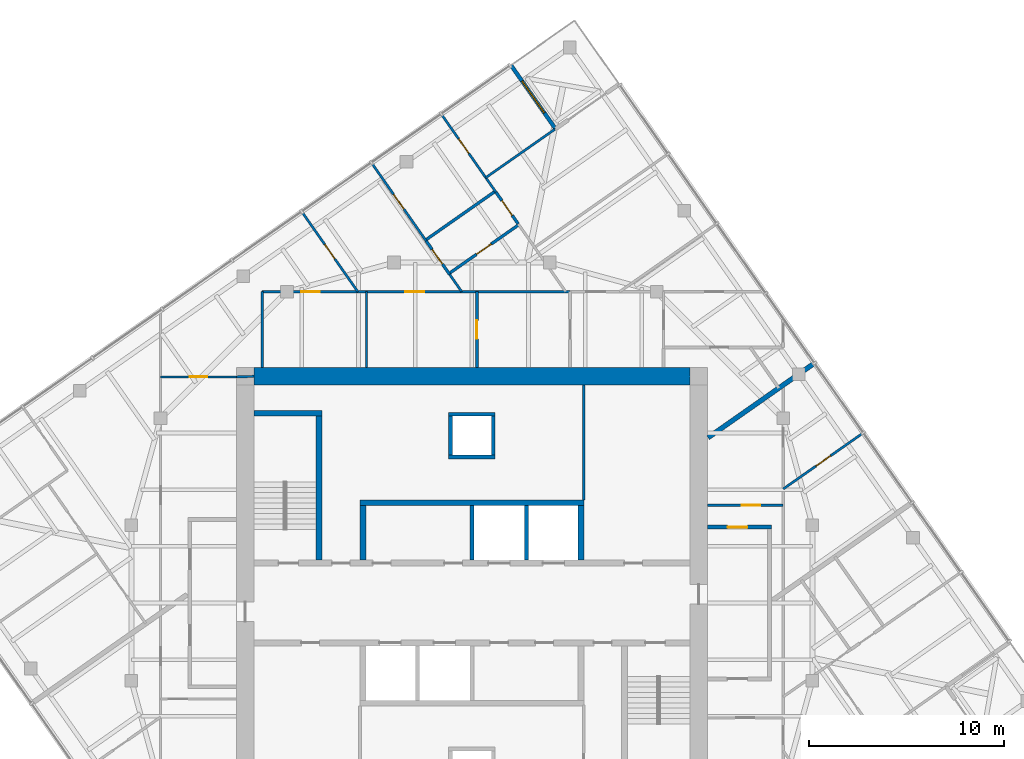
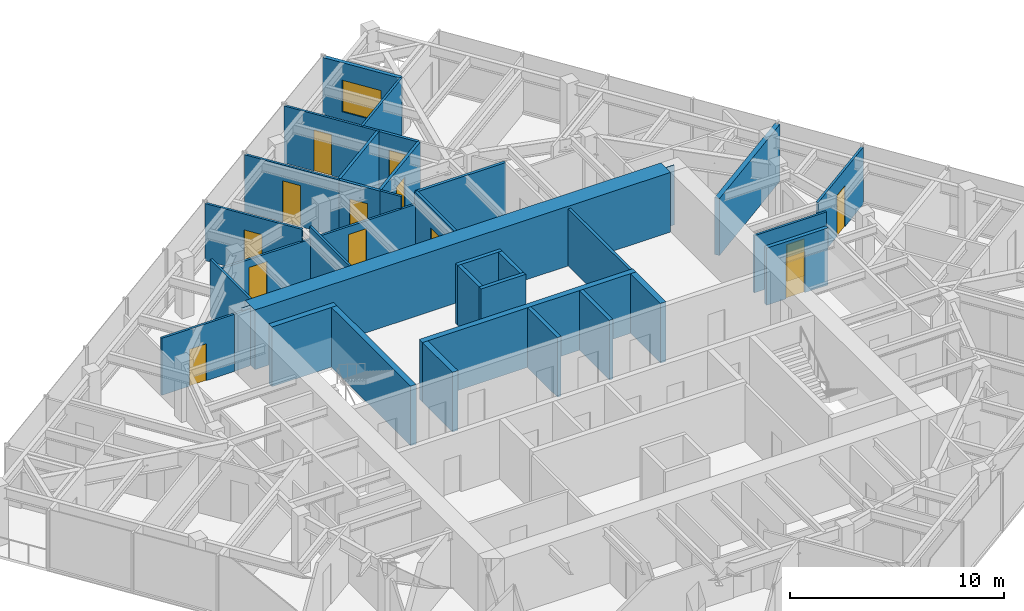
# One storey, part 10 of 12: 34 walls, 13 doors, 1 window, 14 openings.
"""IFC4 building model written with IfcOpenShell, lengths in metres."""

from ifc_helpers import new_model, si_unit, direction, frame, frame_2d, origin, place, context, subcontext, project, spatial, polyline, rectangle, outline, extrude, material, layer, layer_set, type_object, element, fill, save


model = new_model("IFC4")

# Units and contexts
model_context = context("Model", 3, precision=1e-05, world=origin(), true_north=direction((0.0, 1.0)))
body_context = subcontext(model_context, "Body", "Model", "MODEL_VIEW")
ifc_project = project(units=[si_unit("LENGTHUNIT", "METRE"), si_unit("AREAUNIT", "SQUARE_METRE"), si_unit("VOLUMEUNIT", "CUBIC_METRE"), si_unit("PLANEANGLEUNIT", "RADIAN"), si_unit("MASSUNIT", "GRAM", prefix="KILO")], contexts=[model_context])

# Site, building, storey
site_placement = place(None, origin())
site = spatial("IfcSite", under=ifc_project, at=site_placement, CompositionType="ELEMENT")
building_placement = place(site_placement, origin())
building = spatial("IfcBuilding", under=site, at=building_placement, Name="Torsade Residences", CompositionType="ELEMENT")
storey_placement = place(building_placement, frame((0.0, 0.0, 254.0)))
storey = spatial("IfcBuildingStorey", under=building, at=storey_placement, Name="L70", CompositionType="ELEMENT", Elevation=254.0)

# Walls
ifc_material_1 = material(Name="Concrete 80 MPa", Category="concrete")
ifc_layer_1 = layer(ifc_material_1, 0.300048828125)
ifc_layer_set_1 = layer_set([ifc_layer_1], Name="Concrete 80 MPa")
wall_type_1 = type_object("IfcWallType", Name="CORE INTERNAL WALL 300", PredefinedType="SHEAR", material=ifc_layer_set_1)
wall_1_placement = place(storey_placement, frame((34.25, 35.14990234375, 0.0), z_axis=(0.0, 0.0, 1.0), x_axis=(1.0, 0.0, 0.0)))
element("IfcWall", 1, at=wall_1_placement, inside=storey, type_object=wall_type_1, Name="Core wall BN L70", PredefinedType="SHEAR", context=body_context, shape_type="SweptSolid", body=[
    extrude(rectangle(XDim=11.5, YDim=0.300048828125, at=frame_2d((5.75, 0.0))), origin(), (0.0, 0.0, 1.0), 3.39990234375),
])
for number, where, z_axis, x_axis, name in (
    (2, (34.39990234375, 32.199951171875, 0.0), (0.0, 0.0, 1.0), (0.0, 1.0, 0.0), "Core wall DN0 L70"),
    (3, (45.60009765625, 32.199951171875, 0.0), (0.0, 0.0, 1.0), (0.0, 1.0, 0.0), "Core wall DN4 L70"),
):
    element("IfcWall", number, at=place(storey_placement, frame(where, z_axis=z_axis, x_axis=x_axis)), inside=storey, type_object=wall_type_1, Name=name, PredefinedType="SHEAR", context=body_context, shape_type="SweptSolid", body=[
        extrude(rectangle(XDim=2.800048828125, YDim=0.300048828125, at=frame_2d((1.39990234375, 0.0))), origin(), (0.0, 0.0, 1.0), 3.39990234375),
    ])
wall_2_placement = place(storey_placement, frame((32.14990234375, 32.199951171875, 0.0), z_axis=(0.0, 0.0, 1.0), x_axis=(0.0, 1.0, 0.0)))
element("IfcWall", 4, at=wall_2_placement, inside=storey, type_object=wall_type_1, Name="Core wall ST1E L70", PredefinedType="SHEAR", context=body_context, shape_type="SweptSolid", body=[
    extrude(rectangle(XDim=7.699951171875, YDim=0.300048828125, at=frame_2d((3.85009765625, 0.0))), origin(), (0.0, 0.0, 1.0), 3.39990234375),
])
wall_3_placement = place(storey_placement, frame((28.800048828125, 39.75, 0.0), z_axis=(0.0, 0.0, 1.0), x_axis=(1.0, 0.0, 0.0)))
element("IfcWall", 5, at=wall_3_placement, inside=storey, type_object=wall_type_1, Name="Core wall ST1N L70", PredefinedType="SHEAR", context=body_context, shape_type="SweptSolid", body=[
    extrude(rectangle(XDim=3.5, YDim=0.300048828125, at=frame_2d((1.75, 0.0))), origin(), (0.0, 0.0, 1.0), 3.39990234375),
])
ifc_material_2 = material(Name="Concrete 80 MPa", Category="concrete")
ifc_layer_2 = layer(ifc_material_2, 0.89990234375)
ifc_layer_set_2 = layer_set([ifc_layer_2], Name="Concrete 80 MPa")
wall_type_2 = type_object("IfcWallType", Name="CORE WALL 900", PredefinedType="SHEAR", material=ifc_layer_set_2)
wall_4_placement = place(storey_placement, frame((28.800048828125, 41.64990234375, 0.0), z_axis=(0.0, 0.0, 1.0), x_axis=(1.0, 0.0, 0.0)))
element("IfcWall", 6, at=wall_4_placement, inside=storey, type_object=wall_type_2, Name="Core wall N L70", PredefinedType="SHEAR", context=body_context, shape_type="SweptSolid", body=[
    extrude(outline(polyline([(0.0, -0.449951171875), (22.39990234375, -0.449951171875), (22.39990234375, -0.02490234375), (22.849853515625, -0.02490234375), (22.849853515625, 0.02490234375), (22.39990234375, 0.02490234375), (22.39990234375, 0.449951171875), (0.0, 0.449951171875), (0.0, 0.02490234375), (-0.449951171875, 0.02490234375), (-0.449951171875, -0.02490234375), (0.0, -0.02490234375), (0.0, -0.449951171875)])), origin(), (0.0, 0.0, 1.0), 3.39990234375),
])

# Wall, opening, door
ifc_material_3 = material(Name="Plasterboard on steel stud", Category="steel")
ifc_layer_3 = layer(ifc_material_3, 0.199951171875)
ifc_layer_set_3 = layer_set([ifc_layer_3], Name="Plasterboard on steel stud")
wall_type_3 = type_object("IfcWallType", Name="CORRIDOR WALL 200", PredefinedType="PARTITIONING", material=ifc_layer_set_3)
wall_5_placement = place(storey_placement, frame((52.10009765625, 33.89990234375, 0.0), z_axis=(0.0, 0.0, 1.0), x_axis=(1.0, 0.0, 0.0)))
wall_5 = element("IfcWall", 7, at=wall_5_placement, inside=storey, type_object=wall_type_3, Name="Corridor wall L70", PredefinedType="PARTITIONING", context=body_context, shape_type="SweptSolid", body=[
    extrude(rectangle(XDim=3.2998046875, YDim=0.199951171875, at=frame_2d((1.64990234375, 0.0))), origin(), (0.0, 0.0, 1.0), 3.25),
])
opening_1_placement = place(wall_5_placement, frame((1.0400390625, 0.0, 0.0)))
opening_1 = element("IfcOpeningElement", 8, at=opening_1_placement, cuts=wall_5, Name="Opening D01", PredefinedType="OPENING", context=body_context, shape_type="SweptSolid", body=[
    extrude(rectangle(XDim=1.02001953125, YDim=2.340087890625, at=frame_2d((0.510009765625, 1.169921875))), frame((0.0, 0.10986328125, 0.0), z_axis=(0.0, -1.0, 0.0), x_axis=(1.0, 0.0, 0.0)), (0.0, 0.0, 1.0), 0.219970703125),
])
ifc_material_4 = material(Name="Solid-core timber fire door", Category="wood")
door_type_1 = type_object("IfcDoorType", Name="APARTMENT ENTRY DOOR 1020x2340", OperationType="NOTDEFINED", PredefinedType="DOOR", material=ifc_material_4)
door_1_placement = place(opening_1_placement, origin())
door_1 = element("IfcDoor", 9, at=door_1_placement, inside=storey, type_object=door_type_1, Name="Door Residential corridor to Kitchen and dining", OperationType="SINGLE_SWING_LEFT", OverallHeight=2.340087890625, OverallWidth=1.02001953125, PredefinedType="DOOR", context=body_context, shape_type="SweptSolid", body=[
    extrude(rectangle(XDim=1.02001953125, YDim=2.340087890625, at=frame_2d((0.510009765625, 1.169921875))), frame((0.0, 0.02490234375, 0.0), z_axis=(0.0, -1.0, 0.0), x_axis=(1.0, 0.0, 0.0)), (0.0, 0.0, 1.0), 0.050048828125),
])
fill(opening_1, door_1)

# Walls
ifc_material_5 = material(Name="Reinforced blockwork", Category="masonry")
ifc_layer_4 = layer(ifc_material_5, 0.199951171875)
ifc_layer_set_4 = layer_set([ifc_layer_4], Name="Reinforced blockwork")
wall_type_4 = type_object("IfcWallType", Name="LIFT SHAFT DIVIDING WALL 200", PredefinedType="SOLIDWALL", material=ifc_layer_set_4)
for number, where, z_axis, x_axis, name in (
    (10, (40.0, 32.199951171875, 0.0), (0.0, 0.0, 1.0), (0.0, 1.0, 0.0), "Core wall DN2 L70"),
    (11, (42.800048828125, 32.199951171875, 0.0), (0.0, 0.0, 1.0), (0.0, 1.0, 0.0), "Core wall DN3 L70"),
):
    element("IfcWall", number, at=place(storey_placement, frame(where, z_axis=z_axis, x_axis=x_axis)), inside=storey, type_object=wall_type_4, Name=name, PredefinedType="SOLIDWALL", context=body_context, shape_type="SweptSolid", body=[
        extrude(rectangle(XDim=2.800048828125, YDim=0.199951171875, at=frame_2d((1.39990234375, 0.0))), origin(), (0.0, 0.0, 1.0), 3.39990234375),
    ])

# Wall, opening, door
ifc_material_6 = material(Name="Plasterboard on steel stud", Category="steel")
ifc_layer_5 = layer(ifc_material_6, 0.1201171875)
ifc_layer_set_5 = layer_set([ifc_layer_5], Name="Plasterboard on steel stud")
wall_type_5 = type_object("IfcWallType", Name="PARTITION 120", PredefinedType="PARTITIONING", material=ifc_layer_set_5)
wall_6_placement = place(storey_placement, frame((52.10009765625, 35.02197265625, 0.0), z_axis=(0.0, 0.0, 1.0), x_axis=(1.0, 0.0, 0.0)))
wall_6 = element("IfcWall", 12, at=wall_6_placement, inside=storey, type_object=wall_type_5, Name="Partition L70", PredefinedType="PARTITIONING", context=body_context, shape_type="SweptSolid", body=[
    extrude(rectangle(XDim=3.89990234375, YDim=0.1201171875, at=frame_2d((1.949951171875, 0.0))), origin(), (0.0, 0.0, 1.0), 3.25),
])
opening_2_placement = place(wall_6_placement, frame((1.77001953125, 0.0, 0.0)))
opening_2 = element("IfcOpeningElement", 13, at=opening_2_placement, cuts=wall_6, Name="Opening D05", PredefinedType="OPENING", context=body_context, shape_type="SweptSolid", body=[
    extrude(rectangle(XDim=0.9599609375, YDim=2.10009765625, at=frame_2d((0.47998046875, 1.050048828125))), frame((0.0, 0.070068359375, 0.0), z_axis=(0.0, -1.0, 0.0), x_axis=(1.0, 0.0, 0.0)), (0.0, 0.0, 1.0), 0.14013671875),
])
ifc_material_7 = material(Name="Hollow-core timber door in a steel cavity frame", Category="steel")
door_type_2 = type_object("IfcDoorType", Name="BATHROOM CAVITY SLIDING DOOR 960", OperationType="SLIDING_TO_LEFT", PredefinedType="DOOR", material=ifc_material_7)
door_2_placement = place(opening_2_placement, origin())
door_2 = element("IfcDoor", 14, at=door_2_placement, inside=storey, type_object=door_type_2, Name="Door Kitchen and dining to Bathroom", OperationType="SLIDING_TO_LEFT", OverallHeight=2.10009765625, OverallWidth=0.9599609375, PredefinedType="DOOR", context=body_context, shape_type="SweptSolid", body=[
    extrude(rectangle(XDim=0.9599609375, YDim=2.10009765625, at=frame_2d((0.47998046875, 1.050048828125))), frame((0.0, 0.02490234375, 0.0), z_axis=(0.0, -1.0, 0.0), x_axis=(1.0, 0.0, 0.0)), (0.0, 0.0, 1.0), 0.050048828125),
])
fill(opening_2, door_2)

wall_7_placement = place(storey_placement, frame((56.0, 35.8623046875, 0.0), z_axis=(0.0, 0.0, 1.0), x_axis=(0.819144584763, 0.57358708951, 0.0)))
wall_7 = element("IfcWall", 15, at=wall_7_placement, inside=storey, type_object=wall_type_5, Name="Partition L70", PredefinedType="PARTITIONING", context=body_context, shape_type="SweptSolid", body=[
    extrude(rectangle(XDim=4.990966796875, YDim=0.1201171875, at=frame_2d((2.49560546875, 0.0))), origin(), (0.0, 0.0, 1.0), 3.25),
])
opening_3_placement = place(wall_7_placement, frame((2.055419921875, 0.0, 0.0)))
opening_3 = element("IfcOpeningElement", 16, at=opening_3_placement, cuts=wall_7, Name="Opening D02", PredefinedType="OPENING", context=body_context, shape_type="SweptSolid", body=[
    extrude(rectangle(XDim=0.919921875, YDim=2.340087890625, at=frame_2d((0.4599609375, 1.169921875))), frame((0.0, 0.070068359375, 0.0), z_axis=(0.0, -1.0, 0.0), x_axis=(1.0, 0.0, 0.0)), (0.0, 0.0, 1.0), 0.14013671875),
])
ifc_material_8 = material(Name="Hollow-core timber door", Category="wood")
door_type_3 = type_object("IfcDoorType", Name="INTERNAL DOOR 920x2340", OperationType="NOTDEFINED", PredefinedType="DOOR", material=ifc_material_8)
door_3_placement = place(opening_3_placement, origin())
door_3 = element("IfcDoor", 17, at=door_3_placement, inside=storey, type_object=door_type_3, Name="Door Bedroom 1 to Living room", OperationType="SINGLE_SWING_LEFT", OverallHeight=2.340087890625, OverallWidth=0.919921875, PredefinedType="DOOR", context=body_context, shape_type="SweptSolid", body=[
    extrude(rectangle(XDim=0.919921875, YDim=2.340087890625, at=frame_2d((0.4599609375, 1.169921875))), frame((0.0, 0.02490234375, 0.0), z_axis=(0.0, -1.0, 0.0), x_axis=(1.0, 0.0, 0.0)), (0.0, 0.0, 1.0), 0.050048828125),
])
fill(opening_3, door_3)

wall_8_placement = place(storey_placement, frame((24.0, 41.61865234375, 0.0), z_axis=(0.0, 0.0, 1.0), x_axis=(1.0, 0.0, 0.0)))
wall_8 = element("IfcWall", 18, at=wall_8_placement, inside=storey, type_object=wall_type_5, Name="Partition L70", PredefinedType="PARTITIONING", context=body_context, shape_type="SweptSolid", body=[
    extrude(rectangle(XDim=3.89990234375, YDim=0.1201171875, at=frame_2d((1.949951171875, 0.0))), origin(), (0.0, 0.0, 1.0), 3.25),
])
opening_4_placement = place(wall_8_placement, frame((1.489990234375, 0.0, 0.0)))
opening_4 = element("IfcOpeningElement", 19, at=opening_4_placement, cuts=wall_8, Name="Opening D02L", PredefinedType="OPENING", context=body_context, shape_type="SweptSolid", body=[
    extrude(rectangle(XDim=0.919921875, YDim=2.10009765625, at=frame_2d((0.4599609375, 1.050048828125))), frame((0.0, 0.070068359375, 0.0), z_axis=(0.0, -1.0, 0.0), x_axis=(1.0, 0.0, 0.0)), (0.0, 0.0, 1.0), 0.14013671875),
])
ifc_material_9 = material(Name="Hollow-core timber door", Category="wood")
door_type_4 = type_object("IfcDoorType", Name="INTERNAL DOOR 920x2100", OperationType="NOTDEFINED", PredefinedType="DOOR", material=ifc_material_9)
door_4_placement = place(opening_4_placement, origin())
door_4 = element("IfcDoor", 20, at=door_4_placement, inside=storey, type_object=door_type_4, Name="Door Kitchen and dining to Dining room", OperationType="SINGLE_SWING_RIGHT", OverallHeight=2.10009765625, OverallWidth=0.919921875, PredefinedType="DOOR", context=body_context, shape_type="SweptSolid", body=[
    extrude(rectangle(XDim=0.919921875, YDim=2.10009765625, at=frame_2d((0.4599609375, 1.050048828125))), frame((0.0, 0.02490234375, 0.0), z_axis=(0.0, -1.0, 0.0), x_axis=(1.0, 0.0, 0.0)), (0.0, 0.0, 1.0), 0.050048828125),
])
fill(opening_4, door_4)

# Wall
wall_9_placement = place(storey_placement, frame((34.583251953125, 46.0, 0.0), z_axis=(0.0, 0.0, 1.0), x_axis=(0.0, -1.0, 0.0)))
element("IfcWall", 21, at=wall_9_placement, inside=storey, type_object=wall_type_5, Name="Partition L70", PredefinedType="PARTITIONING", context=body_context, shape_type="SweptSolid", body=[
    extrude(rectangle(XDim=3.89990234375, YDim=0.1201171875, at=frame_2d((1.949951171875, 0.0))), origin(), (0.0, 0.0, 1.0), 3.25),
])

# Wall, openings, doors
wall_10_placement = place(storey_placement, frame((29.218505859375, 46.0, 0.0), z_axis=(0.0, 0.0, 1.0), x_axis=(1.0, 0.0, 0.0)))
wall_10 = element("IfcWall", 22, at=wall_10_placement, inside=storey, type_object=wall_type_5, Name="Partition L70", PredefinedType="PARTITIONING", context=body_context, shape_type="SweptSolid", body=[
    extrude(rectangle(XDim=11.0341796875, YDim=0.1201171875, at=frame_2d((5.51708984375, 0.0))), origin(), (0.0, 0.0, 1.0), 2.549072265625),
])
opening_5_placement = place(wall_10_placement, frame((2.010009765625, 0.0, 0.0)))
opening_5 = element("IfcOpeningElement", 23, at=opening_5_placement, cuts=wall_10, Name="Opening D05", PredefinedType="OPENING", context=body_context, shape_type="SweptSolid", body=[
    extrude(rectangle(XDim=0.9599609375, YDim=2.10009765625, at=frame_2d((0.47998046875, 1.050048828125))), frame((0.0, 0.070068359375, 0.0), z_axis=(0.0, -1.0, 0.0), x_axis=(1.0, 0.0, 0.0)), (0.0, 0.0, 1.0), 0.14013671875),
])
opening_6_placement = place(wall_10_placement, frame((7.363037109375, 0.0, 0.0)))
opening_6 = element("IfcOpeningElement", 24, at=opening_6_placement, cuts=wall_10, Name="Opening D05", PredefinedType="OPENING", context=body_context, shape_type="SweptSolid", body=[
    extrude(rectangle(XDim=0.9599609375, YDim=2.10009765625, at=frame_2d((0.47998046875, 1.050048828125))), frame((0.0, 0.070068359375, 0.0), z_axis=(0.0, -1.0, 0.0), x_axis=(1.0, 0.0, 0.0)), (0.0, 0.0, 1.0), 0.14013671875),
])
door_5_placement = place(opening_5_placement, origin())
door_5 = element("IfcDoor", 25, at=door_5_placement, inside=storey, type_object=door_type_2, Name="Door Dining room to Bathroom", OperationType="SLIDING_TO_LEFT", OverallHeight=2.10009765625, OverallWidth=0.9599609375, PredefinedType="DOOR", context=body_context, shape_type="SweptSolid", body=[
    extrude(rectangle(XDim=0.9599609375, YDim=2.10009765625, at=frame_2d((0.47998046875, 1.050048828125))), frame((0.0, 0.02490234375, 0.0), z_axis=(0.0, -1.0, 0.0), x_axis=(1.0, 0.0, 0.0)), (0.0, 0.0, 1.0), 0.050048828125),
])
fill(opening_5, door_5)
door_6_placement = place(opening_6_placement, origin())
door_6 = element("IfcDoor", 26, at=door_6_placement, inside=storey, type_object=door_type_2, Name="Door Study 2 to Ensuite", OperationType="SLIDING_TO_LEFT", OverallHeight=2.10009765625, OverallWidth=0.9599609375, PredefinedType="DOOR", context=body_context, shape_type="SweptSolid", body=[
    extrude(rectangle(XDim=0.9599609375, YDim=2.10009765625, at=frame_2d((0.47998046875, 1.050048828125))), frame((0.0, 0.02490234375, 0.0), z_axis=(0.0, -1.0, 0.0), x_axis=(1.0, 0.0, 0.0)), (0.0, 0.0, 1.0), 0.050048828125),
])
fill(opening_6, door_6)

# Wall
wall_11_placement = place(storey_placement, frame((29.218505859375, 42.10009765625, 0.0), z_axis=(0.0, 0.0, 1.0), x_axis=(0.0, 1.0, 0.0)))
element("IfcWall", 27, at=wall_11_placement, inside=storey, type_object=wall_type_5, Name="Partition L70", PredefinedType="PARTITIONING", context=body_context, shape_type="SweptSolid", body=[
    extrude(rectangle(XDim=3.89990234375, YDim=0.1201171875, at=frame_2d((1.949951171875, 0.0))), origin(), (0.0, 0.0, 1.0), 3.25),
])

# Wall, opening, door
wall_12_placement = place(storey_placement, frame((41.232177734375, 51.123046875, 0.0), z_axis=(0.0, 0.0, 1.0), x_axis=(-0.573586984922, 0.819144657999, 0.0)))
wall_12 = element("IfcWall", 28, at=wall_12_placement, inside=storey, type_object=wall_type_5, Name="Partition L70", PredefinedType="PARTITIONING", context=body_context, shape_type="SweptSolid", body=[
    extrude(rectangle(XDim=4.86376953125, YDim=0.1201171875, at=frame_2d((2.431884765625, 0.0))), origin(), (0.0, 0.0, 1.0), 3.25),
])
opening_7_placement = place(wall_12_placement, frame((2.418701171875, 0.0, 0.0)))
opening_7 = element("IfcOpeningElement", 29, at=opening_7_placement, cuts=wall_12, Name="Opening D02", PredefinedType="OPENING", context=body_context, shape_type="SweptSolid", body=[
    extrude(rectangle(XDim=0.919921875, YDim=2.340087890625, at=frame_2d((0.4599609375, 1.169921875))), frame((0.0, 0.070068359375, 0.0), z_axis=(0.0, -1.0, 0.0), x_axis=(1.0, 0.0, 0.0)), (0.0, 0.0, 1.0), 0.14013671875),
])
door_7_placement = place(opening_7_placement, origin())
door_7 = element("IfcDoor", 30, at=door_7_placement, inside=storey, type_object=door_type_3, Name="Door Family room to Study 3", OperationType="SINGLE_SWING_LEFT", OverallHeight=2.340087890625, OverallWidth=0.919921875, PredefinedType="DOOR", context=body_context, shape_type="SweptSolid", body=[
    extrude(rectangle(XDim=0.919921875, YDim=2.340087890625, at=frame_2d((0.4599609375, 1.169921875))), frame((0.0, 0.02490234375, 0.0), z_axis=(0.0, -1.0, 0.0), x_axis=(1.0, 0.0, 0.0)), (0.0, 0.0, 1.0), 0.050048828125),
])
fill(opening_7, door_7)

# Wall
wall_13_placement = place(storey_placement, frame((40.7138671875, 51.86328125, 0.0), z_axis=(0.0, 0.0, 1.0), x_axis=(0.819139307094, 0.573594626521, 0.0)))
element("IfcWall", 31, at=wall_13_placement, inside=storey, type_object=wall_type_5, Name="Partition L70", PredefinedType="PARTITIONING", context=body_context, shape_type="SweptSolid", body=[
    extrude(rectangle(XDim=4.3349609375, YDim=0.1201171875, at=frame_2d((2.16748046875, 0.0))), origin(), (0.0, 0.0, 1.0), 3.25),
])

# Wall, opening, door
wall_14_placement = place(storey_placement, frame((34.858642578125, 52.597900390625, 0.0), z_axis=(0.0, 0.0, 1.0), x_axis=(0.573586984922, -0.819144657999, 0.0)))
wall_14 = element("IfcWall", 32, at=wall_14_placement, inside=storey, type_object=wall_type_5, Name="Partition L70", PredefinedType="PARTITIONING", context=body_context, shape_type="SweptSolid", body=[
    extrude(rectangle(XDim=4.86376953125, YDim=0.1201171875, at=frame_2d((2.431884765625, 0.0))), origin(), (0.0, 0.0, 1.0), 3.25),
])
opening_8_placement = place(wall_14_placement, frame((1.951904296875, 0.0, 0.0)))
opening_8 = element("IfcOpeningElement", 33, at=opening_8_placement, cuts=wall_14, Name="Opening D02", PredefinedType="OPENING", context=body_context, shape_type="SweptSolid", body=[
    extrude(rectangle(XDim=0.919921875, YDim=2.340087890625, at=frame_2d((0.4599609375, 1.169921875))), frame((0.0, 0.070068359375, 0.0), z_axis=(0.0, -1.0, 0.0), x_axis=(1.0, 0.0, 0.0)), (0.0, 0.0, 1.0), 0.14013671875),
])
door_8_placement = place(opening_8_placement, origin())
door_8 = element("IfcDoor", 34, at=door_8_placement, inside=storey, type_object=door_type_3, Name="Door Study 2 to Family room", OperationType="SINGLE_SWING_RIGHT", OverallHeight=2.340087890625, OverallWidth=0.919921875, PredefinedType="DOOR", context=body_context, shape_type="SweptSolid", body=[
    extrude(rectangle(XDim=0.919921875, YDim=2.340087890625, at=frame_2d((0.4599609375, 1.169921875))), frame((0.0, 0.02490234375, 0.0), z_axis=(0.0, -1.0, 0.0), x_axis=(1.0, 0.0, 0.0)), (0.0, 0.0, 1.0), 0.050048828125),
])
fill(opening_8, door_8)

# Wall
wall_15_placement = place(storey_placement, frame((38.853515625, 46.892333984375, 0.0), z_axis=(0.0, 0.0, 1.0), x_axis=(0.57368792347, -0.81907396886, 0.0)))
element("IfcWall", 35, at=wall_15_placement, inside=storey, type_object=wall_type_5, Name="Partition L70", PredefinedType="PARTITIONING", context=body_context, shape_type="SweptSolid", body=[
    extrude(rectangle(XDim=1.08935546875, YDim=0.1201171875, at=frame_2d((0.544677734375, 0.0))), origin(), (0.0, 0.0, 1.0), 3.25),
])

# Wall, opening, door
wall_16_placement = place(storey_placement, frame((34.1376953125, 46.0, 0.0), z_axis=(0.0, 0.0, 1.0), x_axis=(-0.57358708951, 0.819144584763, 0.0)))
wall_16 = element("IfcWall", 36, at=wall_16_placement, inside=storey, type_object=wall_type_5, Name="Partition L70", PredefinedType="PARTITIONING", context=body_context, shape_type="SweptSolid", body=[
    extrude(rectangle(XDim=4.990966796875, YDim=0.1201171875, at=frame_2d((2.49560546875, 0.0))), origin(), (0.0, 0.0, 1.0), 3.25),
])
opening_9_placement = place(wall_16_placement, frame((2.055419921875, 0.0, 0.0)))
opening_9 = element("IfcOpeningElement", 37, at=opening_9_placement, cuts=wall_16, Name="Opening D02", PredefinedType="OPENING", context=body_context, shape_type="SweptSolid", body=[
    extrude(rectangle(XDim=0.919921875, YDim=2.340087890625, at=frame_2d((0.4599609375, 1.169921875))), frame((0.0, 0.070068359375, 0.0), z_axis=(0.0, -1.0, 0.0), x_axis=(1.0, 0.0, 0.0)), (0.0, 0.0, 1.0), 0.14013671875),
])
door_9_placement = place(opening_9_placement, origin())
door_9 = element("IfcDoor", 38, at=door_9_placement, inside=storey, type_object=door_type_3, Name="Door Dining room to Study 2", OperationType="SINGLE_SWING_LEFT", OverallHeight=2.340087890625, OverallWidth=0.919921875, PredefinedType="DOOR", context=body_context, shape_type="SweptSolid", body=[
    extrude(rectangle(XDim=0.919921875, YDim=2.340087890625, at=frame_2d((0.4599609375, 1.169921875))), frame((0.0, 0.02490234375, 0.0), z_axis=(0.0, -1.0, 0.0), x_axis=(1.0, 0.0, 0.0)), (0.0, 0.0, 1.0), 0.050048828125),
])
fill(opening_9, door_9)

# Walls
wall_17_placement = place(storey_placement, frame((27.89990234375, 41.61865234375, 0.0), z_axis=(0.0, 0.0, 1.0), x_axis=(0.999397924003, 0.034695669724, 0.0)))
element("IfcWall", 39, at=wall_17_placement, inside=storey, type_object=wall_type_5, Name="Partition L70", PredefinedType="PARTITIONING", context=body_context, shape_type="SweptSolid", body=[
    extrude(rectangle(XDim=0.900634765625, YDim=0.1201171875, at=frame_2d((0.4501953125, 0.0))), origin(), (0.0, 0.0, 1.0), 3.25),
])
ifc_material_10 = material(Name="Masonry-lined stud party wall", Category="masonry")
ifc_layer_6 = layer(ifc_material_10, 0.25)
ifc_layer_set_6 = layer_set([ifc_layer_6], Name="Masonry-lined stud party wall")
wall_type_6 = type_object("IfcWallType", Name="PARTY WALL 250", PredefinedType="PARTITIONING", material=ifc_layer_set_6)
wall_18_placement = place(storey_placement, frame((57.61181640625, 42.331787109375, 0.0), z_axis=(0.0, 0.0, 1.0), x_axis=(-0.819161528122, -0.573562891796, 0.0)))
element("IfcWall", 40, at=wall_18_placement, inside=storey, type_object=wall_type_6, Name="Party wall L70", PredefinedType="PARTITIONING", context=body_context, shape_type="SweptSolid", body=[
    extrude(rectangle(XDim=6.68115234375, YDim=0.25, at=frame_2d((3.340576171875, 0.0))), origin(), (0.0, 0.0, 1.0), 3.25),
])
ifc_material_11 = material(Name="Reinforced blockwork", Category="masonry")
ifc_layer_7 = layer(ifc_material_11, 0.199951171875)
ifc_layer_set_7 = layer_set([ifc_layer_7], Name="Reinforced blockwork")
wall_type_7 = type_object("IfcWallType", Name="RISER SHAFT WALL 200", PredefinedType="SOLIDWALL", material=ifc_layer_set_7)
for number, where, z_axis, x_axis, name in (
    (41, (38.89990234375, 37.60009765625, 0.0), (0.0, 0.0, 1.0), (0.0, 1.0, 0.0), "Core wall RS1a L70"),
    (42, (41.10009765625, 37.60009765625, 0.0), (0.0, 0.0, 1.0), (0.0, 1.0, 0.0), "Core wall RS1b L70"),
):
    element("IfcWall", number, at=place(storey_placement, frame(where, z_axis=z_axis, x_axis=x_axis)), inside=storey, type_object=wall_type_7, Name=name, PredefinedType="SOLIDWALL", context=body_context, shape_type="SweptSolid", body=[
        extrude(rectangle(XDim=2.0, YDim=0.199951171875, at=frame_2d((1.0, 0.0))), origin(), (0.0, 0.0, 1.0), 3.39990234375),
    ])
for number, where, z_axis, x_axis, name in (
    (43, (38.800048828125, 37.5, 0.0), (0.0, 0.0, 1.0), (1.0, 0.0, 0.0), "Core wall RS1c L70"),
    (44, (38.800048828125, 39.699951171875, 0.0), (0.0, 0.0, 1.0), (1.0, 0.0, 0.0), "Core wall RS1d L70"),
):
    element("IfcWall", number, at=place(storey_placement, frame(where, z_axis=z_axis, x_axis=x_axis)), inside=storey, type_object=wall_type_7, Name=name, PredefinedType="SOLIDWALL", context=body_context, shape_type="SweptSolid", body=[
        extrude(rectangle(XDim=2.39990234375, YDim=0.199951171875, at=frame_2d((1.199951171875, 0.0))), origin(), (0.0, 0.0, 1.0), 3.39990234375),
    ])
ifc_material_12 = material(Name="Reinforced blockwork", Category="masonry")
ifc_layer_8 = layer(ifc_material_12, 0.14990234375)
ifc_layer_set_8 = layer_set([ifc_layer_8], Name="Reinforced blockwork")
wall_type_8 = type_object("IfcWallType", Name="SERVICE ROOM WALL 150", PredefinedType="SOLIDWALL", material=ifc_layer_set_8)
wall_19_placement = place(storey_placement, frame((45.75, 41.199951171875, 0.0), z_axis=(0.0, 0.0, 1.0), x_axis=(0.0, -1.0, 0.0)))
element("IfcWall", 45, at=wall_19_placement, inside=storey, type_object=wall_type_8, Name="Service room wall L70", PredefinedType="SOLIDWALL", context=body_context, shape_type="SweptSolid", body=[
    extrude(rectangle(XDim=5.89990234375, YDim=0.14990234375, at=frame_2d((2.949951171875, 0.0))), origin(), (0.0, 0.0, 1.0), 3.25),
])

# Wall, opening, door
wall_20_placement = place(storey_placement, frame((40.252685546875, 46.0, 0.0), z_axis=(0.0, 0.0, 1.0), x_axis=(0.0, -1.0, 0.0)))
wall_20 = element("IfcWall", 46, at=wall_20_placement, inside=storey, type_object=wall_type_8, Name="Service room wall L70", PredefinedType="SOLIDWALL", context=body_context, shape_type="SweptSolid", body=[
    extrude(rectangle(XDim=3.89990234375, YDim=0.14990234375, at=frame_2d((1.949951171875, 0.0))), origin(), (0.0, 0.0, 1.0), 3.25),
])
opening_10_placement = place(wall_20_placement, frame((1.469970703125, 0.0, 0.0)))
opening_10 = element("IfcOpeningElement", 47, at=opening_10_placement, cuts=wall_20, Name="Opening D05", PredefinedType="OPENING", context=body_context, shape_type="SweptSolid", body=[
    extrude(rectangle(XDim=0.9599609375, YDim=2.10009765625, at=frame_2d((0.47998046875, 1.050048828125))), frame((0.0, 0.0849609375, 0.0), z_axis=(0.0, -1.0, 0.0), x_axis=(1.0, 0.0, 0.0)), (0.0, 0.0, 1.0), 0.169921875),
])
door_10_placement = place(opening_10_placement, origin())
door_10 = element("IfcDoor", 48, at=door_10_placement, inside=storey, type_object=door_type_2, Name="Door Ensuite to Linen store", OperationType="SLIDING_TO_LEFT", OverallHeight=2.10009765625, OverallWidth=0.9599609375, PredefinedType="DOOR", context=body_context, shape_type="SweptSolid", body=[
    extrude(rectangle(XDim=0.9599609375, YDim=2.10009765625, at=frame_2d((0.47998046875, 1.050048828125))), frame((0.0, 0.02490234375, 0.0), z_axis=(0.0, -1.0, 0.0), x_axis=(1.0, 0.0, 0.0)), (0.0, 0.0, 1.0), 0.050048828125),
])
fill(opening_10, door_10)

# Wall
wall_21_placement = place(storey_placement, frame((40.252685546875, 46.0, 0.0), z_axis=(0.0, 0.0, 1.0), x_axis=(1.0, 0.0, 0.0)))
element("IfcWall", 49, at=wall_21_placement, inside=storey, type_object=wall_type_8, Name="Service room wall L70", PredefinedType="SOLIDWALL", context=body_context, shape_type="SweptSolid", body=[
    extrude(rectangle(XDim=4.798583984375, YDim=0.14990234375, at=frame_2d((2.3994140625, 0.0))), origin(), (0.0, 0.0, 1.0), 3.25),
])

# Wall, opening, door
wall_22_placement = place(storey_placement, frame((42.380126953125, 49.483642578125, 0.0), z_axis=(0.0, 0.0, 1.0), x_axis=(-0.573585144111, 0.819145946981, 0.0)))
wall_22 = element("IfcWall", 50, at=wall_22_placement, inside=storey, type_object=wall_type_8, Name="Service room wall L70", PredefinedType="SOLIDWALL", context=body_context, shape_type="SweptSolid", body=[
    extrude(rectangle(XDim=2.00146484375, YDim=0.14990234375, at=frame_2d((1.000732421875, 0.0))), origin(), (0.0, 0.0, 1.0), 3.25),
])
opening_11_placement = place(wall_22_placement, frame((0.54052734375, 0.0, 0.0)))
opening_11 = element("IfcOpeningElement", 51, at=opening_11_placement, cuts=wall_22, Name="Opening D02", PredefinedType="OPENING", context=body_context, shape_type="SweptSolid", body=[
    extrude(rectangle(XDim=0.919921875, YDim=2.340087890625, at=frame_2d((0.4599609375, 1.169921875))), frame((0.0, 0.0849609375, 0.0), z_axis=(0.0, -1.0, 0.0), x_axis=(1.0, 0.0, 0.0)), (0.0, 0.0, 1.0), 0.169921875),
])
door_11_placement = place(opening_11_placement, origin())
door_11 = element("IfcDoor", 52, at=door_11_placement, inside=storey, type_object=door_type_3, Name="Door Linen store 4 to Bedroom 1", OperationType="SINGLE_SWING_LEFT", OverallHeight=2.340087890625, OverallWidth=0.919921875, PredefinedType="DOOR", context=body_context, shape_type="SweptSolid", body=[
    extrude(rectangle(XDim=0.919921875, YDim=2.340087890625, at=frame_2d((0.4599609375, 1.169921875))), frame((0.0, 0.02490234375, 0.0), z_axis=(0.0, -1.0, 0.0), x_axis=(1.0, 0.0, 0.0)), (0.0, 0.0, 1.0), 0.050048828125),
])
fill(opening_11, door_11)

wall_23_placement = place(storey_placement, frame((37.6484375, 48.61376953125, 0.0), z_axis=(0.0, 0.0, 1.0), x_axis=(0.573485736943, -0.819215545216, 0.0)))
wall_23 = element("IfcWall", 53, at=wall_23_placement, inside=storey, type_object=wall_type_8, Name="Service room wall L70", PredefinedType="SOLIDWALL", context=body_context, shape_type="SweptSolid", body=[
    extrude(rectangle(XDim=2.101318359375, YDim=0.14990234375, at=frame_2d((1.05078125, 0.0))), origin(), (0.0, 0.0, 1.0), 3.25),
])
opening_12_placement = place(wall_23_placement, frame((0.540771484375, 0.0, 0.0)))
opening_12 = element("IfcOpeningElement", 54, at=opening_12_placement, cuts=wall_23, Name="Opening D02", PredefinedType="OPENING", context=body_context, shape_type="SweptSolid", body=[
    extrude(rectangle(XDim=0.919921875, YDim=2.340087890625, at=frame_2d((0.4599609375, 1.169921875))), frame((0.0, 0.0849609375, 0.0), z_axis=(0.0, -1.0, 0.0), x_axis=(1.0, 0.0, 0.0)), (0.0, 0.0, 1.0), 0.169921875),
])
door_12_placement = place(opening_12_placement, origin())
door_12 = element("IfcDoor", 55, at=door_12_placement, inside=storey, type_object=door_type_3, Name="Door Study 2 to Linen store 4", OperationType="SINGLE_SWING_LEFT", OverallHeight=2.340087890625, OverallWidth=0.919921875, PredefinedType="DOOR", context=body_context, shape_type="SweptSolid", body=[
    extrude(rectangle(XDim=0.919921875, YDim=2.340087890625, at=frame_2d((0.4599609375, 1.169921875))), frame((0.0, 0.02490234375, 0.0), z_axis=(0.0, -1.0, 0.0), x_axis=(1.0, 0.0, 0.0)), (0.0, 0.0, 1.0), 0.050048828125),
])
fill(opening_12, door_12)

# Wall
wall_24_placement = place(storey_placement, frame((41.203369140625, 51.1640625, 0.0), z_axis=(0.0, 0.0, 1.0), x_axis=(-0.81916112811, -0.573563463091, 0.0)))
element("IfcWall", 56, at=wall_24_placement, inside=storey, type_object=wall_type_8, Name="Service room wall L70", PredefinedType="SOLIDWALL", context=body_context, shape_type="SweptSolid", body=[
    extrude(rectangle(XDim=4.375, YDim=0.14990234375, at=frame_2d((2.1875, 0.0))), origin(), (0.0, 0.0, 1.0), 3.25),
])

# Wall, opening, door
wall_25_placement = place(storey_placement, frame((38.824951171875, 46.933349609375, 0.0), z_axis=(0.0, 0.0, 1.0), x_axis=(0.81916112811, 0.573563463091, 0.0)))
wall_25 = element("IfcWall", 57, at=wall_25_placement, inside=storey, type_object=wall_type_8, Name="Service room wall L70", PredefinedType="SOLIDWALL", context=body_context, shape_type="SweptSolid", body=[
    extrude(rectangle(XDim=4.375, YDim=0.14990234375, at=frame_2d((2.1875, 0.0))), origin(), (0.0, 0.0, 1.0), 3.25),
])
opening_13_placement = place(wall_25_placement, frame((1.7275390625, 0.0, 0.0)))
opening_13 = element("IfcOpeningElement", 58, at=opening_13_placement, cuts=wall_25, Name="Opening D02", PredefinedType="OPENING", context=body_context, shape_type="SweptSolid", body=[
    extrude(rectangle(XDim=0.919921875, YDim=2.340087890625, at=frame_2d((0.4599609375, 1.169921875))), frame((0.0, 0.0849609375, 0.0), z_axis=(0.0, -1.0, 0.0), x_axis=(1.0, 0.0, 0.0)), (0.0, 0.0, 1.0), 0.169921875),
])
door_13_placement = place(opening_13_placement, origin())
door_13 = element("IfcDoor", 59, at=door_13_placement, inside=storey, type_object=door_type_3, Name="Door Linen store 4 to Walk-in robe", OperationType="SINGLE_SWING_RIGHT", OverallHeight=2.340087890625, OverallWidth=0.919921875, PredefinedType="DOOR", context=body_context, shape_type="SweptSolid", body=[
    extrude(rectangle(XDim=0.919921875, YDim=2.340087890625, at=frame_2d((0.4599609375, 1.169921875))), frame((0.0, 0.02490234375, 0.0), z_axis=(0.0, -1.0, 0.0), x_axis=(1.0, 0.0, 0.0)), (0.0, 0.0, 1.0), 0.050048828125),
])
fill(opening_13, door_13)

# Wall, opening, window
ifc_material_13 = material(Name="Stone-faced precast concrete 40 MPa panel", Category="masonry")
ifc_layer_9 = layer(ifc_material_13, 0.199951171875)
ifc_layer_set_9 = layer_set([ifc_layer_9], Name="Stone-faced precast concrete 40 MPa panel")
wall_type_9 = type_object("IfcWallType", Name="TERRACE WALL 200", PredefinedType="SOLIDWALL", material=ifc_layer_set_9)
wall_26_placement = place(storey_placement, frame((44.297607421875, 54.372802734375, 0.0), z_axis=(0.0, 0.0, 1.0), x_axis=(-0.573597512525, 0.819137286189, 0.0)))
wall_26 = element("IfcWall", 60, at=wall_26_placement, inside=storey, type_object=wall_type_9, Name="Terrace wall L70 6", PredefinedType="SOLIDWALL", context=body_context, shape_type="SweptSolid", body=[
    extrude(rectangle(XDim=4.0, YDim=0.199951171875, at=frame_2d((2.0, 0.0))), origin(), (0.0, 0.0, 1.0), 3.25),
])
opening_14_placement = place(wall_26_placement, frame((1.0, 0.0, 0.449951171875)))
opening_14 = element("IfcOpeningElement", 61, at=opening_14_placement, cuts=wall_26, Name="Opening W1B", PredefinedType="OPENING", context=body_context, shape_type="SweptSolid", body=[
    extrude(rectangle(XDim=2.0, YDim=1.800048828125, at=frame_2d((1.0, 0.89990234375))), frame((0.0, 0.10986328125, 0.0), z_axis=(0.0, -1.0, 0.0), x_axis=(1.0, 0.0, 0.0)), (0.0, 0.0, 1.0), 0.219970703125),
])
ifc_material_14 = material(Name="Aluminium-framed glass window", Category="aluminium")
window_type = type_object("IfcWindowType", Name="TERRACE WINDOW 2000x1800", PartitioningType="SINGLE_PANEL", PredefinedType="WINDOW", material=ifc_material_14)
window_placement = place(opening_14_placement, origin())
window = element("IfcWindow", 62, at=window_placement, inside=storey, type_object=window_type, Name="Terrace window L70 6", OverallHeight=1.800048828125, OverallWidth=2.0, PartitioningType="SINGLE_PANEL", PredefinedType="WINDOW", context=body_context, shape_type="SweptSolid", body=[
    extrude(rectangle(XDim=2.0, YDim=1.800048828125, at=frame_2d((1.0, 0.89990234375))), frame((0.0, 0.030029296875, 0.0), z_axis=(0.0, -1.0, 0.0), x_axis=(1.0, 0.0, 0.0)), (0.0, 0.0, 1.0), 0.06005859375),
])
fill(opening_14, window)

save(model, "model.ifc")
